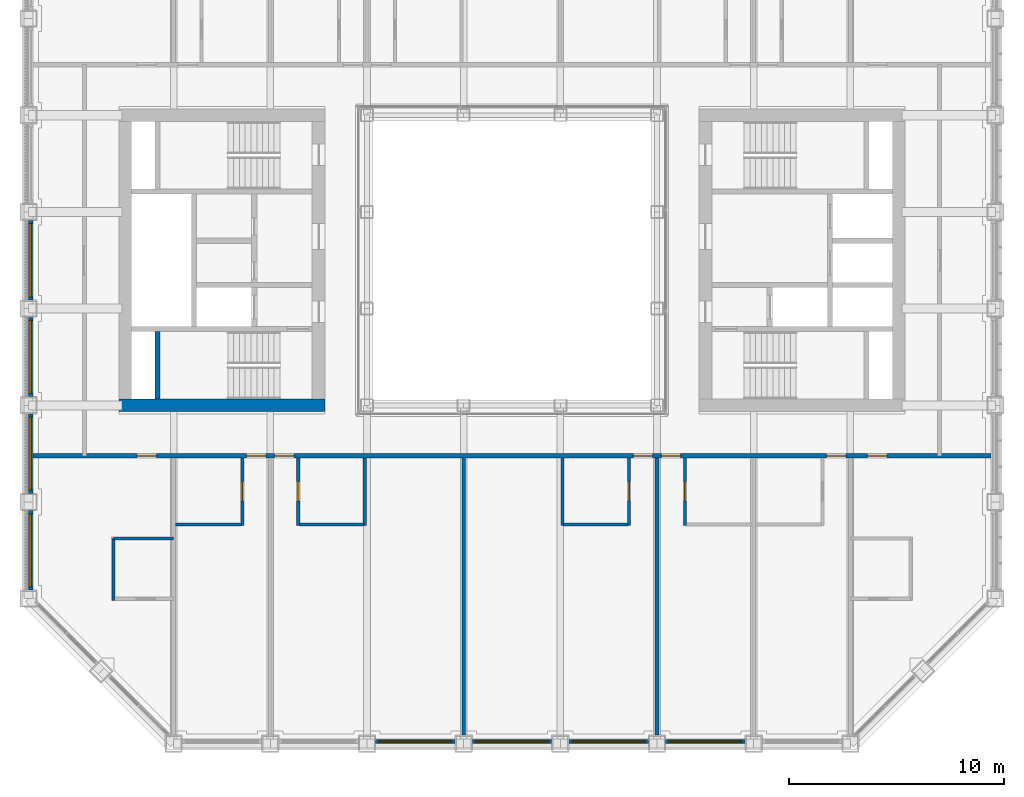
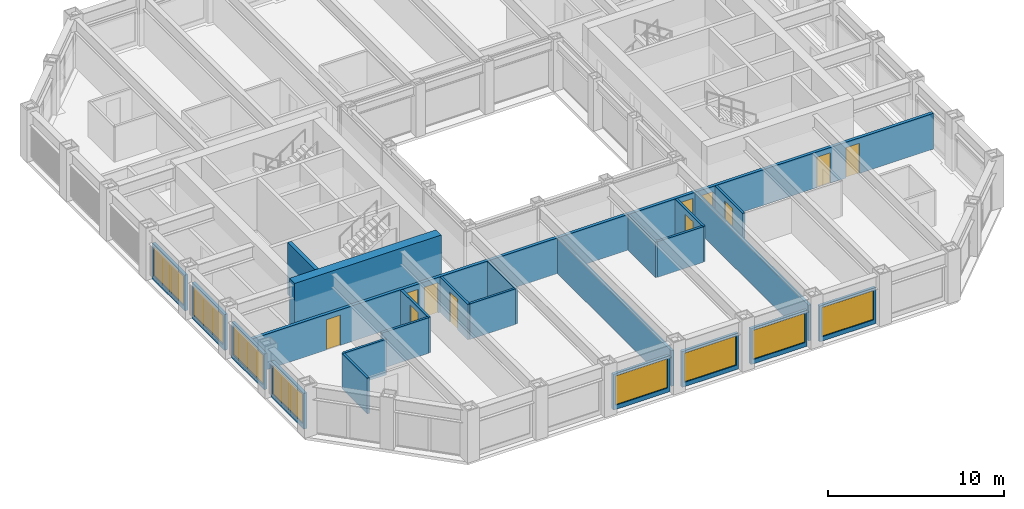
# One storey, part 10 of 17: 24 walls, 11 doors, 8 windows, 19 openings.
"""IFC4 building model written with IfcOpenShell, lengths in metres."""

from ifc_helpers import new_model, si_unit, direction, frame, frame_2d, origin, place, context, subcontext, project, spatial, rectangle, extrude, material, layer, layer_set, type_object, element, fill, save


model = new_model("IFC4")

# Units and contexts
model_context = context("Model", 3, precision=1e-05, world=origin(), true_north=direction((0.0, 1.0)))
body_context = subcontext(model_context, "Body", "Model", "MODEL_VIEW")
ifc_project = project(units=[si_unit("LENGTHUNIT", "METRE"), si_unit("AREAUNIT", "SQUARE_METRE"), si_unit("VOLUMEUNIT", "CUBIC_METRE"), si_unit("PLANEANGLEUNIT", "RADIAN"), si_unit("MASSUNIT", "GRAM", prefix="KILO")], contexts=[model_context])

# Site, building, storey
site_placement = place(None, origin())
site = spatial("IfcSite", under=ifc_project, at=site_placement, CompositionType="ELEMENT")
building_placement = place(site_placement, origin())
building = spatial("IfcBuilding", under=site, at=building_placement, Name="Msasa Ring Tower", CompositionType="ELEMENT")
storey_placement = place(building_placement, frame((0.0, 0.0, 129.199951171875)))
storey = spatial("IfcBuildingStorey", under=building, at=storey_placement, Name="L33", CompositionType="ELEMENT", Elevation=129.199951171875)

# Walls
ifc_material_1 = material(Name="Concrete C60/75", Category="concrete")
ifc_layer_1 = layer(ifc_material_1, 0.60009765625)
ifc_layer_set_1 = layer_set([ifc_layer_1], Name="CW2 CORE WALL 600")
wall_type_1 = type_object("IfcWallType", Name="CW2 CORE WALL 600", PredefinedType="SHEAR", material=ifc_layer_set_1)
wall_1_placement = place(storey_placement, frame((-8.699951171875, -6.75, 0.0), z_axis=(0.0, 0.0, 1.0), x_axis=(-1.0, 0.0, 0.0)))
element("IfcWall", 1, at=wall_1_placement, inside=storey, type_object=wall_type_1, Name="W core wall S L33", PredefinedType="SHEAR", context=body_context, shape_type="SweptSolid", body=[
    extrude(rectangle(XDim=9.60009765625, YDim=0.60009765625, at=frame_2d((4.800048828125, 0.0))), origin(), (0.0, 0.0, 1.0), 3.60009765625),
])
ifc_material_2 = material(Name="Concrete C60/75", Category="concrete")
ifc_layer_2 = layer(ifc_material_2, 0.25)
ifc_layer_set_2 = layer_set([ifc_layer_2], Name="CW4 CORE INNER WALL 250")
wall_type_2 = type_object("IfcWallType", Name="CW4 CORE INNER WALL 250", PredefinedType="SHEAR", material=ifc_layer_set_2)
wall_2_placement = place(storey_placement, frame((-16.5, -6.449951171875, 0.0), z_axis=(0.0, 0.0, 1.0), x_axis=(0.0, 1.0, 0.0)))
element("IfcWall", 2, at=wall_2_placement, inside=storey, type_object=wall_type_2, Name="W core wall RISERA L33", PredefinedType="SHEAR", context=body_context, shape_type="SweptSolid", body=[
    extrude(rectangle(XDim=3.125, YDim=0.25, at=frame_2d((1.5625, 0.0))), origin(), (0.0, 0.0, 1.0), 3.60009765625),
])

# Wall, opening, window
ifc_material_3 = material(Name="Terracotta rainscreen on blockwork", Category="masonry")
ifc_layer_3 = layer(ifc_material_3, 0.199951171875)
ifc_layer_set_3 = layer_set([ifc_layer_3], Name="FW1 TERRACOTTA-LINED INFILL BAY WALL 200")
wall_type_3 = type_object("IfcWallType", Name="FW1 TERRACOTTA-LINED INFILL BAY WALL 200", PredefinedType="SOLIDWALL", material=ifc_layer_set_3)
wall_3_placement = place(storey_placement, frame((-6.344970703125, -22.39990234375, 0.0), z_axis=(0.0, 0.0, 1.0), x_axis=(1.0, 0.0, 0.0)))
wall_3 = element("IfcWall", 3, at=wall_3_placement, inside=storey, type_object=wall_type_3, Name="Infill bay wall S L33 02", PredefinedType="SOLIDWALL", context=body_context, shape_type="SweptSolid", body=[
    extrude(rectangle(XDim=3.68994140625, YDim=0.199951171875, at=frame_2d((1.844970703125, 0.0))), origin(), (0.0, 0.0, 1.0), 2.47900390625),
])
opening_1_placement = place(wall_3_placement, frame((0.14501953125, 0.0, 0.300048828125)))
opening_1 = element("IfcOpeningElement", 4, at=opening_1_placement, cuts=wall_3, Name="Opening WN2", PredefinedType="OPENING", context=body_context, shape_type="SweptSolid", body=[
    extrude(rectangle(XDim=3.39990234375, YDim=2.029052734375, at=frame_2d((1.699951171875, 1.0146484375))), frame((0.0, 0.10986328125, 0.0), z_axis=(0.0, -1.0, 0.0), x_axis=(1.0, 0.0, 0.0)), (0.0, 0.0, 1.0), 0.219970703125),
])
ifc_material_4 = material(Name="Aluminium frame with clear glass", Category="aluminium")
window_type = type_object("IfcWindowType", Name="WN2 GUEST ROOM WINDOW 3400x2029", PartitioningType="SINGLE_PANEL", PredefinedType="WINDOW", material=ifc_material_4)
window_1_placement = place(opening_1_placement, origin())
window_1 = element("IfcWindow", 5, at=window_1_placement, inside=storey, type_object=window_type, Name="Window S L33 02", OverallHeight=2.029052734375, OverallWidth=3.39990234375, PartitioningType="SINGLE_PANEL", PredefinedType="WINDOW", context=body_context, shape_type="SweptSolid", body=[
    extrude(rectangle(XDim=3.39990234375, YDim=2.029052734375, at=frame_2d((1.699951171875, 1.0146484375))), frame((0.0, 0.030029296875, 0.0), z_axis=(0.0, -1.0, 0.0), x_axis=(1.0, 0.0, 0.0)), (0.0, 0.0, 1.0), 0.06005859375),
])
fill(opening_1, window_1)

wall_4_placement = place(storey_placement, frame((-1.844970703125, -22.39990234375, 0.0), z_axis=(0.0, 0.0, 1.0), x_axis=(1.0, 0.0, 0.0)))
wall_4 = element("IfcWall", 6, at=wall_4_placement, inside=storey, type_object=wall_type_3, Name="Infill bay wall S L33 03", PredefinedType="SOLIDWALL", context=body_context, shape_type="SweptSolid", body=[
    extrude(rectangle(XDim=3.68994140625, YDim=0.199951171875, at=frame_2d((1.844970703125, 0.0))), origin(), (0.0, 0.0, 1.0), 2.47900390625),
])
opening_2_placement = place(wall_4_placement, frame((0.14501953125, 0.0, 0.300048828125)))
opening_2 = element("IfcOpeningElement", 7, at=opening_2_placement, cuts=wall_4, Name="Opening WN2", PredefinedType="OPENING", context=body_context, shape_type="SweptSolid", body=[
    extrude(rectangle(XDim=3.39990234375, YDim=2.029052734375, at=frame_2d((1.699951171875, 1.0146484375))), frame((0.0, 0.10986328125, 0.0), z_axis=(0.0, -1.0, 0.0), x_axis=(1.0, 0.0, 0.0)), (0.0, 0.0, 1.0), 0.219970703125),
])
window_2_placement = place(opening_2_placement, origin())
window_2 = element("IfcWindow", 8, at=window_2_placement, inside=storey, type_object=window_type, Name="Window S L33 03", OverallHeight=2.029052734375, OverallWidth=3.39990234375, PartitioningType="SINGLE_PANEL", PredefinedType="WINDOW", context=body_context, shape_type="SweptSolid", body=[
    extrude(rectangle(XDim=3.39990234375, YDim=2.029052734375, at=frame_2d((1.699951171875, 1.0146484375))), frame((0.0, 0.030029296875, 0.0), z_axis=(0.0, -1.0, 0.0), x_axis=(1.0, 0.0, 0.0)), (0.0, 0.0, 1.0), 0.06005859375),
])
fill(opening_2, window_2)

wall_5_placement = place(storey_placement, frame((2.655029296875, -22.39990234375, 0.0), z_axis=(0.0, 0.0, 1.0), x_axis=(1.0, 0.0, 0.0)))
wall_5 = element("IfcWall", 9, at=wall_5_placement, inside=storey, type_object=wall_type_3, Name="Infill bay wall S L33 04", PredefinedType="SOLIDWALL", context=body_context, shape_type="SweptSolid", body=[
    extrude(rectangle(XDim=3.68994140625, YDim=0.199951171875, at=frame_2d((1.844970703125, 0.0))), origin(), (0.0, 0.0, 1.0), 2.47900390625),
])
opening_3_placement = place(wall_5_placement, frame((0.14501953125, 0.0, 0.300048828125)))
opening_3 = element("IfcOpeningElement", 10, at=opening_3_placement, cuts=wall_5, Name="Opening WN2", PredefinedType="OPENING", context=body_context, shape_type="SweptSolid", body=[
    extrude(rectangle(XDim=3.39990234375, YDim=2.029052734375, at=frame_2d((1.699951171875, 1.0146484375))), frame((0.0, 0.10986328125, 0.0), z_axis=(0.0, -1.0, 0.0), x_axis=(1.0, 0.0, 0.0)), (0.0, 0.0, 1.0), 0.219970703125),
])
window_3_placement = place(opening_3_placement, origin())
window_3 = element("IfcWindow", 11, at=window_3_placement, inside=storey, type_object=window_type, Name="Window S L33 04", OverallHeight=2.029052734375, OverallWidth=3.39990234375, PartitioningType="SINGLE_PANEL", PredefinedType="WINDOW", context=body_context, shape_type="SweptSolid", body=[
    extrude(rectangle(XDim=3.39990234375, YDim=2.029052734375, at=frame_2d((1.699951171875, 1.0146484375))), frame((0.0, 0.030029296875, 0.0), z_axis=(0.0, -1.0, 0.0), x_axis=(1.0, 0.0, 0.0)), (0.0, 0.0, 1.0), 0.06005859375),
])
fill(opening_3, window_3)

wall_6_placement = place(storey_placement, frame((7.155029296875, -22.39990234375, 0.0), z_axis=(0.0, 0.0, 1.0), x_axis=(1.0, 0.0, 0.0)))
wall_6 = element("IfcWall", 12, at=wall_6_placement, inside=storey, type_object=wall_type_3, Name="Infill bay wall S L33 05", PredefinedType="SOLIDWALL", context=body_context, shape_type="SweptSolid", body=[
    extrude(rectangle(XDim=3.68994140625, YDim=0.199951171875, at=frame_2d((1.844970703125, 0.0))), origin(), (0.0, 0.0, 1.0), 2.47900390625),
])
opening_4_placement = place(wall_6_placement, frame((0.14501953125, 0.0, 0.300048828125)))
opening_4 = element("IfcOpeningElement", 13, at=opening_4_placement, cuts=wall_6, Name="Opening WN2", PredefinedType="OPENING", context=body_context, shape_type="SweptSolid", body=[
    extrude(rectangle(XDim=3.39990234375, YDim=2.029052734375, at=frame_2d((1.699951171875, 1.0146484375))), frame((0.0, 0.10986328125, 0.0), z_axis=(0.0, -1.0, 0.0), x_axis=(1.0, 0.0, 0.0)), (0.0, 0.0, 1.0), 0.219970703125),
])
window_4_placement = place(opening_4_placement, origin())
window_4 = element("IfcWindow", 14, at=window_4_placement, inside=storey, type_object=window_type, Name="Window S L33 05", OverallHeight=2.029052734375, OverallWidth=3.39990234375, PartitioningType="SINGLE_PANEL", PredefinedType="WINDOW", context=body_context, shape_type="SweptSolid", body=[
    extrude(rectangle(XDim=3.39990234375, YDim=2.029052734375, at=frame_2d((1.699951171875, 1.0146484375))), frame((0.0, 0.030029296875, 0.0), z_axis=(0.0, -1.0, 0.0), x_axis=(1.0, 0.0, 0.0)), (0.0, 0.0, 1.0), 0.06005859375),
])
fill(opening_4, window_4)

wall_7_placement = place(storey_placement, frame((-22.39990234375, -15.344970703125, 0.0), z_axis=(0.0, 0.0, 1.0), x_axis=(0.0, 1.0, 0.0)))
wall_7 = element("IfcWall", 15, at=wall_7_placement, inside=storey, type_object=wall_type_3, Name="Infill bay wall W L33 27", PredefinedType="SOLIDWALL", context=body_context, shape_type="SweptSolid", body=[
    extrude(rectangle(XDim=3.68994140625, YDim=0.199951171875, at=frame_2d((1.844970703125, 0.0))), origin(), (0.0, 0.0, 1.0), 2.47900390625),
])
opening_5_placement = place(wall_7_placement, frame((0.14501953125, 0.0, 0.300048828125)))
opening_5 = element("IfcOpeningElement", 16, at=opening_5_placement, cuts=wall_7, Name="Opening WN2", PredefinedType="OPENING", context=body_context, shape_type="SweptSolid", body=[
    extrude(rectangle(XDim=3.39990234375, YDim=2.029052734375, at=frame_2d((1.699951171875, 1.0146484375))), frame((0.0, 0.10986328125, 0.0), z_axis=(0.0, -1.0, 0.0), x_axis=(1.0, 0.0, 0.0)), (0.0, 0.0, 1.0), 0.219970703125),
])
window_5_placement = place(opening_5_placement, origin())
window_5 = element("IfcWindow", 17, at=window_5_placement, inside=storey, type_object=window_type, Name="Window W L33 27", OverallHeight=2.029052734375, OverallWidth=3.39990234375, PartitioningType="SINGLE_PANEL", PredefinedType="WINDOW", context=body_context, shape_type="SweptSolid", body=[
    extrude(rectangle(XDim=3.39990234375, YDim=2.029052734375, at=frame_2d((1.699951171875, 1.0146484375))), frame((0.0, 0.030029296875, 0.0), z_axis=(0.0, -1.0, 0.0), x_axis=(1.0, 0.0, 0.0)), (0.0, 0.0, 1.0), 0.06005859375),
])
fill(opening_5, window_5)

wall_8_placement = place(storey_placement, frame((-22.39990234375, -10.844970703125, 0.0), z_axis=(0.0, 0.0, 1.0), x_axis=(0.0, 1.0, 0.0)))
wall_8 = element("IfcWall", 18, at=wall_8_placement, inside=storey, type_object=wall_type_3, Name="Infill bay wall W L33 28", PredefinedType="SOLIDWALL", context=body_context, shape_type="SweptSolid", body=[
    extrude(rectangle(XDim=3.68994140625, YDim=0.199951171875, at=frame_2d((1.844970703125, 0.0))), origin(), (0.0, 0.0, 1.0), 2.47900390625),
])
opening_6_placement = place(wall_8_placement, frame((0.14501953125, 0.0, 0.300048828125)))
opening_6 = element("IfcOpeningElement", 19, at=opening_6_placement, cuts=wall_8, Name="Opening WN2", PredefinedType="OPENING", context=body_context, shape_type="SweptSolid", body=[
    extrude(rectangle(XDim=3.39990234375, YDim=2.029052734375, at=frame_2d((1.699951171875, 1.0146484375))), frame((0.0, 0.10986328125, 0.0), z_axis=(0.0, -1.0, 0.0), x_axis=(1.0, 0.0, 0.0)), (0.0, 0.0, 1.0), 0.219970703125),
])
window_6_placement = place(opening_6_placement, origin())
window_6 = element("IfcWindow", 20, at=window_6_placement, inside=storey, type_object=window_type, Name="Window W L33 28", OverallHeight=2.029052734375, OverallWidth=3.39990234375, PartitioningType="SINGLE_PANEL", PredefinedType="WINDOW", context=body_context, shape_type="SweptSolid", body=[
    extrude(rectangle(XDim=3.39990234375, YDim=2.029052734375, at=frame_2d((1.699951171875, 1.0146484375))), frame((0.0, 0.030029296875, 0.0), z_axis=(0.0, -1.0, 0.0), x_axis=(1.0, 0.0, 0.0)), (0.0, 0.0, 1.0), 0.06005859375),
])
fill(opening_6, window_6)

wall_9_placement = place(storey_placement, frame((-22.39990234375, -6.344970703125, 0.0), z_axis=(0.0, 0.0, 1.0), x_axis=(0.0, 1.0, 0.0)))
wall_9 = element("IfcWall", 21, at=wall_9_placement, inside=storey, type_object=wall_type_3, Name="Infill bay wall W L33 29", PredefinedType="SOLIDWALL", context=body_context, shape_type="SweptSolid", body=[
    extrude(rectangle(XDim=3.68994140625, YDim=0.199951171875, at=frame_2d((1.844970703125, 0.0))), origin(), (0.0, 0.0, 1.0), 2.47900390625),
])
opening_7_placement = place(wall_9_placement, frame((0.14501953125, 0.0, 0.300048828125)))
opening_7 = element("IfcOpeningElement", 22, at=opening_7_placement, cuts=wall_9, Name="Opening WN2", PredefinedType="OPENING", context=body_context, shape_type="SweptSolid", body=[
    extrude(rectangle(XDim=3.39990234375, YDim=2.029052734375, at=frame_2d((1.699951171875, 1.0146484375))), frame((0.0, 0.10986328125, 0.0), z_axis=(0.0, -1.0, 0.0), x_axis=(1.0, 0.0, 0.0)), (0.0, 0.0, 1.0), 0.219970703125),
])
window_7_placement = place(opening_7_placement, origin())
window_7 = element("IfcWindow", 23, at=window_7_placement, inside=storey, type_object=window_type, Name="Window W L33 29", OverallHeight=2.029052734375, OverallWidth=3.39990234375, PartitioningType="SINGLE_PANEL", PredefinedType="WINDOW", context=body_context, shape_type="SweptSolid", body=[
    extrude(rectangle(XDim=3.39990234375, YDim=2.029052734375, at=frame_2d((1.699951171875, 1.0146484375))), frame((0.0, 0.030029296875, 0.0), z_axis=(0.0, -1.0, 0.0), x_axis=(1.0, 0.0, 0.0)), (0.0, 0.0, 1.0), 0.06005859375),
])
fill(opening_7, window_7)

wall_10_placement = place(storey_placement, frame((-22.39990234375, -1.844970703125, 0.0), z_axis=(0.0, 0.0, 1.0), x_axis=(0.0, 1.0, 0.0)))
wall_10 = element("IfcWall", 24, at=wall_10_placement, inside=storey, type_object=wall_type_3, Name="Infill bay wall W L33 30", PredefinedType="SOLIDWALL", context=body_context, shape_type="SweptSolid", body=[
    extrude(rectangle(XDim=3.68994140625, YDim=0.199951171875, at=frame_2d((1.844970703125, 0.0))), origin(), (0.0, 0.0, 1.0), 2.47900390625),
])
opening_8_placement = place(wall_10_placement, frame((0.14501953125, 0.0, 0.300048828125)))
opening_8 = element("IfcOpeningElement", 25, at=opening_8_placement, cuts=wall_10, Name="Opening WN2", PredefinedType="OPENING", context=body_context, shape_type="SweptSolid", body=[
    extrude(rectangle(XDim=3.39990234375, YDim=2.029052734375, at=frame_2d((1.699951171875, 1.0146484375))), frame((0.0, 0.10986328125, 0.0), z_axis=(0.0, -1.0, 0.0), x_axis=(1.0, 0.0, 0.0)), (0.0, 0.0, 1.0), 0.219970703125),
])
window_8_placement = place(opening_8_placement, origin())
window_8 = element("IfcWindow", 26, at=window_8_placement, inside=storey, type_object=window_type, Name="Window W L33 30", OverallHeight=2.029052734375, OverallWidth=3.39990234375, PartitioningType="SINGLE_PANEL", PredefinedType="WINDOW", context=body_context, shape_type="SweptSolid", body=[
    extrude(rectangle(XDim=3.39990234375, YDim=2.029052734375, at=frame_2d((1.699951171875, 1.0146484375))), frame((0.0, 0.030029296875, 0.0), z_axis=(0.0, -1.0, 0.0), x_axis=(1.0, 0.0, 0.0)), (0.0, 0.0, 1.0), 0.06005859375),
])
fill(opening_8, window_8)

# Wall, openings, doors
ifc_material_5 = material(Name="Concrete blockwork", Category="masonry")
ifc_layer_4 = layer(ifc_material_5, 0.199951171875)
ifc_layer_set_4 = layer_set([ifc_layer_4], Name="PT1 CORRIDOR WALL 200")
wall_type_4 = type_object("IfcWallType", Name="PT1 CORRIDOR WALL 200", PredefinedType="PARTITIONING", material=ifc_layer_set_4)
wall_11_placement = place(storey_placement, frame((-22.300048828125, -9.10009765625, 0.0), z_axis=(0.0, 0.0, 1.0), x_axis=(1.0, 0.0, 0.0)))
wall_11 = element("IfcWall", 27, at=wall_11_placement, inside=storey, type_object=wall_type_4, Name="Corridor wall L33-CORRS0", PredefinedType="PARTITIONING", context=body_context, shape_type="SweptSolid", body=[
    extrude(rectangle(XDim=44.60009765625, YDim=0.199951171875, at=frame_2d((22.300048828125, 0.0))), origin(), (0.0, 0.0, 1.0), 2.473388671875),
])
opening_9_placement = place(wall_11_placement, frame((9.949951171875, 0.0, 0.0)))
opening_9 = element("IfcOpeningElement", 28, at=opening_9_placement, cuts=wall_11, Name="Opening HB-028", PredefinedType="OPENING", context=body_context, shape_type="SweptSolid", body=[
    extrude(rectangle(XDim=0.89990234375, YDim=2.10009765625, at=frame_2d((0.449951171875, 1.050048828125))), frame((0.0, 0.10986328125, 0.0), z_axis=(0.0, -1.0, 0.0), x_axis=(1.0, 0.0, 0.0)), (0.0, 0.0, 1.0), 0.219970703125),
])
opening_10_placement = place(wall_11_placement, frame((11.25, 0.0, 0.0)))
opening_10 = element("IfcOpeningElement", 29, at=opening_10_placement, cuts=wall_11, Name="Opening HB-029", PredefinedType="OPENING", context=body_context, shape_type="SweptSolid", body=[
    extrude(rectangle(XDim=0.89990234375, YDim=2.10009765625, at=frame_2d((0.449951171875, 1.050048828125))), frame((0.0, 0.10986328125, 0.0), z_axis=(0.0, -1.0, 0.0), x_axis=(1.0, 0.0, 0.0)), (0.0, 0.0, 1.0), 0.219970703125),
])
opening_11_placement = place(wall_11_placement, frame((27.949951171875, 0.0, 0.0)))
opening_11 = element("IfcOpeningElement", 30, at=opening_11_placement, cuts=wall_11, Name="Opening HB-030", PredefinedType="OPENING", context=body_context, shape_type="SweptSolid", body=[
    extrude(rectangle(XDim=0.89990234375, YDim=2.10009765625, at=frame_2d((0.449951171875, 1.050048828125))), frame((0.0, 0.10986328125, 0.0), z_axis=(0.0, -1.0, 0.0), x_axis=(1.0, 0.0, 0.0)), (0.0, 0.0, 1.0), 0.219970703125),
])
opening_12_placement = place(wall_11_placement, frame((29.25, 0.0, 0.0)))
opening_12 = element("IfcOpeningElement", 31, at=opening_12_placement, cuts=wall_11, Name="Opening HB-031", PredefinedType="OPENING", context=body_context, shape_type="SweptSolid", body=[
    extrude(rectangle(XDim=0.89990234375, YDim=2.10009765625, at=frame_2d((0.449951171875, 1.050048828125))), frame((0.0, 0.10986328125, 0.0), z_axis=(0.0, -1.0, 0.0), x_axis=(1.0, 0.0, 0.0)), (0.0, 0.0, 1.0), 0.219970703125),
])
opening_13_placement = place(wall_11_placement, frame((36.949951171875, 0.0, 0.0)))
opening_13 = element("IfcOpeningElement", 32, at=opening_13_placement, cuts=wall_11, Name="Opening HB-032", PredefinedType="OPENING", context=body_context, shape_type="SweptSolid", body=[
    extrude(rectangle(XDim=0.89990234375, YDim=2.10009765625, at=frame_2d((0.449951171875, 1.050048828125))), frame((0.0, 0.10986328125, 0.0), z_axis=(0.0, -1.0, 0.0), x_axis=(1.0, 0.0, 0.0)), (0.0, 0.0, 1.0), 0.219970703125),
])
opening_14_placement = place(wall_11_placement, frame((38.85009765625, 0.0, 0.0)))
opening_14 = element("IfcOpeningElement", 33, at=opening_14_placement, cuts=wall_11, Name="Opening HB-033", PredefinedType="OPENING", context=body_context, shape_type="SweptSolid", body=[
    extrude(rectangle(XDim=0.89990234375, YDim=2.10009765625, at=frame_2d((0.449951171875, 1.050048828125))), frame((0.0, 0.10986328125, 0.0), z_axis=(0.0, -1.0, 0.0), x_axis=(1.0, 0.0, 0.0)), (0.0, 0.0, 1.0), 0.219970703125),
])
opening_15_placement = place(wall_11_placement, frame((4.85009765625, 0.0, 0.0)))
opening_15 = element("IfcOpeningElement", 34, at=opening_15_placement, cuts=wall_11, Name="Opening HB-027", PredefinedType="OPENING", context=body_context, shape_type="SweptSolid", body=[
    extrude(rectangle(XDim=0.89990234375, YDim=2.10009765625, at=frame_2d((0.449951171875, 1.050048828125))), frame((0.0, 0.10986328125, 0.0), z_axis=(0.0, -1.0, 0.0), x_axis=(1.0, 0.0, 0.0)), (0.0, 0.0, 1.0), 0.219970703125),
])
ifc_material_6 = material(Name="Timber door leaf in a steel frame", Category="steel")
door_type_1 = type_object("IfcDoorType", Name="D1 SINGLE DOOR TO CORRIDOR 900x2100", OperationType="SINGLE_SWING_LEFT", PredefinedType="DOOR", material=ifc_material_6)
door_1_placement = place(opening_9_placement, origin())
door_1 = element("IfcDoor", 35, at=door_1_placement, inside=storey, type_object=door_type_1, Name="Door L33-GS00", OperationType="SINGLE_SWING_LEFT", OverallHeight=2.10009765625, OverallWidth=0.89990234375, PredefinedType="DOOR", context=body_context, shape_type="SweptSolid", body=[
    extrude(rectangle(XDim=0.89990234375, YDim=2.10009765625, at=frame_2d((0.449951171875, 1.050048828125))), frame((0.0, 0.02490234375, 0.0), z_axis=(0.0, -1.0, 0.0), x_axis=(1.0, 0.0, 0.0)), (0.0, 0.0, 1.0), 0.050048828125),
])
fill(opening_9, door_1)
door_2_placement = place(opening_10_placement, origin())
door_2 = element("IfcDoor", 36, at=door_2_placement, inside=storey, type_object=door_type_1, Name="Door L33-GS01", OperationType="SINGLE_SWING_LEFT", OverallHeight=2.10009765625, OverallWidth=0.89990234375, PredefinedType="DOOR", context=body_context, shape_type="SweptSolid", body=[
    extrude(rectangle(XDim=0.89990234375, YDim=2.10009765625, at=frame_2d((0.449951171875, 1.050048828125))), frame((0.0, 0.02490234375, 0.0), z_axis=(0.0, -1.0, 0.0), x_axis=(1.0, 0.0, 0.0)), (0.0, 0.0, 1.0), 0.050048828125),
])
fill(opening_10, door_2)
door_3_placement = place(opening_11_placement, origin())
door_3 = element("IfcDoor", 37, at=door_3_placement, inside=storey, type_object=door_type_1, Name="Door L33-GS02", OperationType="SINGLE_SWING_RIGHT", OverallHeight=2.10009765625, OverallWidth=0.89990234375, PredefinedType="DOOR", context=body_context, shape_type="SweptSolid", body=[
    extrude(rectangle(XDim=0.89990234375, YDim=2.10009765625, at=frame_2d((0.449951171875, 1.050048828125))), frame((0.0, 0.02490234375, 0.0), z_axis=(0.0, -1.0, 0.0), x_axis=(1.0, 0.0, 0.0)), (0.0, 0.0, 1.0), 0.050048828125),
])
fill(opening_11, door_3)
door_4_placement = place(opening_12_placement, origin())
door_4 = element("IfcDoor", 38, at=door_4_placement, inside=storey, type_object=door_type_1, Name="Door L33-GS03", OperationType="SINGLE_SWING_RIGHT", OverallHeight=2.10009765625, OverallWidth=0.89990234375, PredefinedType="DOOR", context=body_context, shape_type="SweptSolid", body=[
    extrude(rectangle(XDim=0.89990234375, YDim=2.10009765625, at=frame_2d((0.449951171875, 1.050048828125))), frame((0.0, 0.02490234375, 0.0), z_axis=(0.0, -1.0, 0.0), x_axis=(1.0, 0.0, 0.0)), (0.0, 0.0, 1.0), 0.050048828125),
])
fill(opening_12, door_4)
door_5_placement = place(opening_13_placement, origin())
door_5 = element("IfcDoor", 39, at=door_5_placement, inside=storey, type_object=door_type_1, Name="Door L33-GS04", OperationType="SINGLE_SWING_RIGHT", OverallHeight=2.10009765625, OverallWidth=0.89990234375, PredefinedType="DOOR", context=body_context, shape_type="SweptSolid", body=[
    extrude(rectangle(XDim=0.89990234375, YDim=2.10009765625, at=frame_2d((0.449951171875, 1.050048828125))), frame((0.0, 0.02490234375, 0.0), z_axis=(0.0, -1.0, 0.0), x_axis=(1.0, 0.0, 0.0)), (0.0, 0.0, 1.0), 0.050048828125),
])
fill(opening_13, door_5)
ifc_material_7 = material(Name="Timber door leaf in a steel frame", Category="steel")
door_type_2 = type_object("IfcDoorType", Name="D2 ENTRANCE DOOR 900x2100", OperationType="SINGLE_SWING_LEFT", PredefinedType="DOOR", material=ifc_material_7)
door_6_placement = place(opening_14_placement, origin())
door_6 = element("IfcDoor", 40, at=door_6_placement, inside=storey, type_object=door_type_2, Name="Door L33-CSSE", OperationType="SINGLE_SWING_RIGHT", OverallHeight=2.10009765625, OverallWidth=0.89990234375, PredefinedType="DOOR", context=body_context, shape_type="SweptSolid", body=[
    extrude(rectangle(XDim=0.89990234375, YDim=2.10009765625, at=frame_2d((0.449951171875, 1.050048828125))), frame((0.0, 0.02490234375, 0.0), z_axis=(0.0, -1.0, 0.0), x_axis=(1.0, 0.0, 0.0)), (0.0, 0.0, 1.0), 0.050048828125),
])
fill(opening_14, door_6)
door_7_placement = place(opening_15_placement, origin())
door_7 = element("IfcDoor", 41, at=door_7_placement, inside=storey, type_object=door_type_2, Name="Door L33-CSSW", OperationType="SINGLE_SWING_LEFT", OverallHeight=2.10009765625, OverallWidth=0.89990234375, PredefinedType="DOOR", context=body_context, shape_type="SweptSolid", body=[
    extrude(rectangle(XDim=0.89990234375, YDim=2.10009765625, at=frame_2d((0.449951171875, 1.050048828125))), frame((0.0, 0.02490234375, 0.0), z_axis=(0.0, -1.0, 0.0), x_axis=(1.0, 0.0, 0.0)), (0.0, 0.0, 1.0), 0.050048828125),
])
fill(opening_15, door_7)

# Wall, opening, door
ifc_material_8 = material(Name="Moisture-resistant board on steel studs with a concealed cistern and pipe void, tiled", Category="steel")
ifc_layer_5 = layer(ifc_material_8, 0.14990234375)
ifc_layer_set_5 = layer_set([ifc_layer_5], Name="PT4 BATHROOM WET WALL 150")
wall_type_5 = type_object("IfcWallType", Name="PT4 BATHROOM WET WALL 150", PredefinedType="PARTITIONING", material=ifc_layer_set_5)
wall_12_placement = place(storey_placement, frame((-12.550048828125, -12.35009765625, 0.0), z_axis=(0.0, 0.0, 1.0), x_axis=(0.0, 1.0, 0.0)))
wall_12 = element("IfcWall", 42, at=wall_12_placement, inside=storey, type_object=wall_type_5, Name="Partition L33-GS00BX", PredefinedType="PARTITIONING", context=body_context, shape_type="SweptSolid", body=[
    extrude(rectangle(XDim=3.150146484375, YDim=0.14990234375, at=frame_2d((1.5751953125, 0.0))), origin(), (0.0, 0.0, 1.0), 2.473388671875),
])
opening_16_placement = place(wall_12_placement, frame((1.14990234375, 0.0, 0.0)))
opening_16 = element("IfcOpeningElement", 43, at=opening_16_placement, cuts=wall_12, Name="Opening HB-034", PredefinedType="OPENING", context=body_context, shape_type="SweptSolid", body=[
    extrude(rectangle(XDim=0.89990234375, YDim=2.10009765625, at=frame_2d((0.449951171875, 1.050048828125))), frame((0.0, 0.0849609375, 0.0), z_axis=(0.0, -1.0, 0.0), x_axis=(1.0, 0.0, 0.0)), (0.0, 0.0, 1.0), 0.169921875),
])
ifc_material_9 = material(Name="Timber door leaf in a steel frame", Category="steel")
door_type_3 = type_object("IfcDoorType", Name="D3 BATHROOM DOOR 900x2100", OperationType="SINGLE_SWING_LEFT", PredefinedType="DOOR", material=ifc_material_9)
door_8_placement = place(opening_16_placement, origin())
door_8 = element("IfcDoor", 44, at=door_8_placement, inside=storey, type_object=door_type_3, Name="Door L33-GS00B", OperationType="SINGLE_SWING_LEFT", OverallHeight=2.10009765625, OverallWidth=0.89990234375, PredefinedType="DOOR", context=body_context, shape_type="SweptSolid", body=[
    extrude(rectangle(XDim=0.89990234375, YDim=2.10009765625, at=frame_2d((0.449951171875, 1.050048828125))), frame((0.0, 0.02490234375, 0.0), z_axis=(0.0, -1.0, 0.0), x_axis=(1.0, 0.0, 0.0)), (0.0, 0.0, 1.0), 0.050048828125),
])
fill(opening_16, door_8)

# Wall
wall_13_placement = place(storey_placement, frame((-15.66259765625, -12.300048828125, 0.0), z_axis=(0.0, 0.0, 1.0), x_axis=(1.0, 0.0, 0.0)))
element("IfcWall", 45, at=wall_13_placement, inside=storey, type_object=wall_type_5, Name="Partition L33-GS00BY", PredefinedType="PARTITIONING", context=body_context, shape_type="SweptSolid", body=[
    extrude(rectangle(XDim=3.0625, YDim=0.14990234375, at=frame_2d((1.53125, 0.0))), origin(), (0.0, 0.0, 1.0), 2.473388671875),
])

# Wall, opening, door
wall_14_placement = place(storey_placement, frame((-9.949951171875, -12.35009765625, 0.0), z_axis=(0.0, 0.0, 1.0), x_axis=(0.0, 1.0, 0.0)))
wall_14 = element("IfcWall", 46, at=wall_14_placement, inside=storey, type_object=wall_type_5, Name="Partition L33-GS01BX", PredefinedType="PARTITIONING", context=body_context, shape_type="SweptSolid", body=[
    extrude(rectangle(XDim=3.150146484375, YDim=0.14990234375, at=frame_2d((1.5751953125, 0.0))), origin(), (0.0, 0.0, 1.0), 2.473388671875),
])
opening_17_placement = place(wall_14_placement, frame((1.14990234375, 0.0, 0.0)))
opening_17 = element("IfcOpeningElement", 47, at=opening_17_placement, cuts=wall_14, Name="Opening HB-035", PredefinedType="OPENING", context=body_context, shape_type="SweptSolid", body=[
    extrude(rectangle(XDim=0.89990234375, YDim=2.10009765625, at=frame_2d((0.449951171875, 1.050048828125))), frame((0.0, 0.0849609375, 0.0), z_axis=(0.0, -1.0, 0.0), x_axis=(1.0, 0.0, 0.0)), (0.0, 0.0, 1.0), 0.169921875),
])
door_9_placement = place(opening_17_placement, origin())
door_9 = element("IfcDoor", 48, at=door_9_placement, inside=storey, type_object=door_type_3, Name="Door L33-GS01B", OperationType="SINGLE_SWING_LEFT", OverallHeight=2.10009765625, OverallWidth=0.89990234375, PredefinedType="DOOR", context=body_context, shape_type="SweptSolid", body=[
    extrude(rectangle(XDim=0.89990234375, YDim=2.10009765625, at=frame_2d((0.449951171875, 1.050048828125))), frame((0.0, 0.02490234375, 0.0), z_axis=(0.0, -1.0, 0.0), x_axis=(1.0, 0.0, 0.0)), (0.0, 0.0, 1.0), 0.050048828125),
])
fill(opening_17, door_9)

# Walls
wall_15_placement = place(storey_placement, frame((-6.85009765625, -12.35009765625, 0.0), z_axis=(0.0, 0.0, 1.0), x_axis=(0.0, 1.0, 0.0)))
element("IfcWall", 49, at=wall_15_placement, inside=storey, type_object=wall_type_5, Name="Partition L33-GS01BF", PredefinedType="PARTITIONING", context=body_context, shape_type="SweptSolid", body=[
    extrude(rectangle(XDim=3.150146484375, YDim=0.14990234375, at=frame_2d((1.5751953125, 0.0))), origin(), (0.0, 0.0, 1.0), 2.473388671875),
])
wall_16_placement = place(storey_placement, frame((-9.89990234375, -12.300048828125, 0.0), z_axis=(0.0, 0.0, 1.0), x_axis=(1.0, 0.0, 0.0)))
element("IfcWall", 50, at=wall_16_placement, inside=storey, type_object=wall_type_5, Name="Partition L33-GS01BY", PredefinedType="PARTITIONING", context=body_context, shape_type="SweptSolid", body=[
    extrude(rectangle(XDim=3.0, YDim=0.14990234375, at=frame_2d((1.5, 0.0))), origin(), (0.0, 0.0, 1.0), 2.473388671875),
])

# Wall, opening, door
wall_17_placement = place(storey_placement, frame((5.449951171875, -12.35009765625, 0.0), z_axis=(0.0, 0.0, 1.0), x_axis=(0.0, 1.0, 0.0)))
wall_17 = element("IfcWall", 51, at=wall_17_placement, inside=storey, type_object=wall_type_5, Name="Partition L33-GS02BX", PredefinedType="PARTITIONING", context=body_context, shape_type="SweptSolid", body=[
    extrude(rectangle(XDim=3.150146484375, YDim=0.14990234375, at=frame_2d((1.5751953125, 0.0))), origin(), (0.0, 0.0, 1.0), 2.473388671875),
])
opening_18_placement = place(wall_17_placement, frame((1.14990234375, 0.0, 0.0)))
opening_18 = element("IfcOpeningElement", 52, at=opening_18_placement, cuts=wall_17, Name="Opening HB-036", PredefinedType="OPENING", context=body_context, shape_type="SweptSolid", body=[
    extrude(rectangle(XDim=0.89990234375, YDim=2.10009765625, at=frame_2d((0.449951171875, 1.050048828125))), frame((0.0, 0.0849609375, 0.0), z_axis=(0.0, -1.0, 0.0), x_axis=(1.0, 0.0, 0.0)), (0.0, 0.0, 1.0), 0.169921875),
])
door_10_placement = place(opening_18_placement, origin())
door_10 = element("IfcDoor", 53, at=door_10_placement, inside=storey, type_object=door_type_3, Name="Door L33-GS02B", OperationType="SINGLE_SWING_LEFT", OverallHeight=2.10009765625, OverallWidth=0.89990234375, PredefinedType="DOOR", context=body_context, shape_type="SweptSolid", body=[
    extrude(rectangle(XDim=0.89990234375, YDim=2.10009765625, at=frame_2d((0.449951171875, 1.050048828125))), frame((0.0, 0.02490234375, 0.0), z_axis=(0.0, -1.0, 0.0), x_axis=(1.0, 0.0, 0.0)), (0.0, 0.0, 1.0), 0.050048828125),
])
fill(opening_18, door_10)

# Walls
wall_18_placement = place(storey_placement, frame((2.35009765625, -12.35009765625, 0.0), z_axis=(0.0, 0.0, 1.0), x_axis=(0.0, 1.0, 0.0)))
element("IfcWall", 54, at=wall_18_placement, inside=storey, type_object=wall_type_5, Name="Partition L33-GS02BF", PredefinedType="PARTITIONING", context=body_context, shape_type="SweptSolid", body=[
    extrude(rectangle(XDim=3.150146484375, YDim=0.14990234375, at=frame_2d((1.5751953125, 0.0))), origin(), (0.0, 0.0, 1.0), 2.473388671875),
])
wall_19_placement = place(storey_placement, frame((2.39990234375, -12.300048828125, 0.0), z_axis=(0.0, 0.0, 1.0), x_axis=(1.0, 0.0, 0.0)))
element("IfcWall", 55, at=wall_19_placement, inside=storey, type_object=wall_type_5, Name="Partition L33-GS02BY", PredefinedType="PARTITIONING", context=body_context, shape_type="SweptSolid", body=[
    extrude(rectangle(XDim=3.0, YDim=0.14990234375, at=frame_2d((1.5, 0.0))), origin(), (0.0, 0.0, 1.0), 2.473388671875),
])

# Wall, opening, door
wall_20_placement = place(storey_placement, frame((8.050048828125, -12.35009765625, 0.0), z_axis=(0.0, 0.0, 1.0), x_axis=(0.0, 1.0, 0.0)))
wall_20 = element("IfcWall", 56, at=wall_20_placement, inside=storey, type_object=wall_type_5, Name="Partition L33-GS03BX", PredefinedType="PARTITIONING", context=body_context, shape_type="SweptSolid", body=[
    extrude(rectangle(XDim=3.150146484375, YDim=0.14990234375, at=frame_2d((1.5751953125, 0.0))), origin(), (0.0, 0.0, 1.0), 2.473388671875),
])
opening_19_placement = place(wall_20_placement, frame((1.14990234375, 0.0, 0.0)))
opening_19 = element("IfcOpeningElement", 57, at=opening_19_placement, cuts=wall_20, Name="Opening HB-037", PredefinedType="OPENING", context=body_context, shape_type="SweptSolid", body=[
    extrude(rectangle(XDim=0.89990234375, YDim=2.10009765625, at=frame_2d((0.449951171875, 1.050048828125))), frame((0.0, 0.0849609375, 0.0), z_axis=(0.0, -1.0, 0.0), x_axis=(1.0, 0.0, 0.0)), (0.0, 0.0, 1.0), 0.169921875),
])
door_11_placement = place(opening_19_placement, origin())
door_11 = element("IfcDoor", 58, at=door_11_placement, inside=storey, type_object=door_type_3, Name="Door L33-GS03B", OperationType="SINGLE_SWING_LEFT", OverallHeight=2.10009765625, OverallWidth=0.89990234375, PredefinedType="DOOR", context=body_context, shape_type="SweptSolid", body=[
    extrude(rectangle(XDim=0.89990234375, YDim=2.10009765625, at=frame_2d((0.449951171875, 1.050048828125))), frame((0.0, 0.02490234375, 0.0), z_axis=(0.0, -1.0, 0.0), x_axis=(1.0, 0.0, 0.0)), (0.0, 0.0, 1.0), 0.050048828125),
])
fill(opening_19, door_11)

# Walls
wall_21_placement = place(storey_placement, frame((-18.550048828125, -15.824951171875, 0.0), z_axis=(0.0, 0.0, 1.0), x_axis=(0.0, 1.0, 0.0)))
element("IfcWall", 59, at=wall_21_placement, inside=storey, type_object=wall_type_5, Name="Partition L33-CSSWBX", PredefinedType="PARTITIONING", context=body_context, shape_type="SweptSolid", body=[
    extrude(rectangle(XDim=2.875, YDim=0.14990234375, at=frame_2d((1.4375, 0.0))), origin(), (0.0, 0.0, 1.0), 2.473388671875),
])
wall_22_placement = place(storey_placement, frame((-18.550048828125, -12.949951171875, 0.0), z_axis=(0.0, 0.0, 1.0), x_axis=(1.0, 0.0, 0.0)))
element("IfcWall", 60, at=wall_22_placement, inside=storey, type_object=wall_type_5, Name="Partition L33-CSSWBY", PredefinedType="PARTITIONING", context=body_context, shape_type="SweptSolid", body=[
    extrude(rectangle(XDim=2.800048828125, YDim=0.14990234375, at=frame_2d((1.39990234375, 0.0))), origin(), (0.0, 0.0, 1.0), 2.473388671875),
])
ifc_material_10 = material(Name="Twin steel studs, two layers of acoustic board each face, mineral wool", Category="steel")
ifc_layer_6 = layer(ifc_material_10, 0.175048828125)
ifc_layer_set_6 = layer_set([ifc_layer_6], Name="PT5 GUEST ROOM SEPARATING WALL 175")
wall_type_6 = type_object("IfcWallType", Name="PT5 GUEST ROOM SEPARATING WALL 175", PredefinedType="PARTITIONING", material=ifc_layer_set_6)
for number, where, z_axis, x_axis, name in (
    (61, (-2.25, -22.10009765625, 0.0), (0.0, 0.0, 1.0), (0.0, 1.0, 0.0), "Partition L33-PWS-2.25"),
    (62, (6.75, -22.10009765625, 0.0), (0.0, 0.0, 1.0), (0.0, 1.0, 0.0), "Partition L33-PWS+6.75"),
):
    element("IfcWall", number, at=place(storey_placement, frame(where, z_axis=z_axis, x_axis=x_axis)), inside=storey, type_object=wall_type_6, Name=name, PredefinedType="PARTITIONING", context=body_context, shape_type="SweptSolid", body=[
        extrude(rectangle(XDim=12.900146484375, YDim=0.175048828125, at=frame_2d((6.4501953125, 0.0))), origin(), (0.0, 0.0, 1.0), 2.473388671875),
    ])

save(model, "model.ifc")
